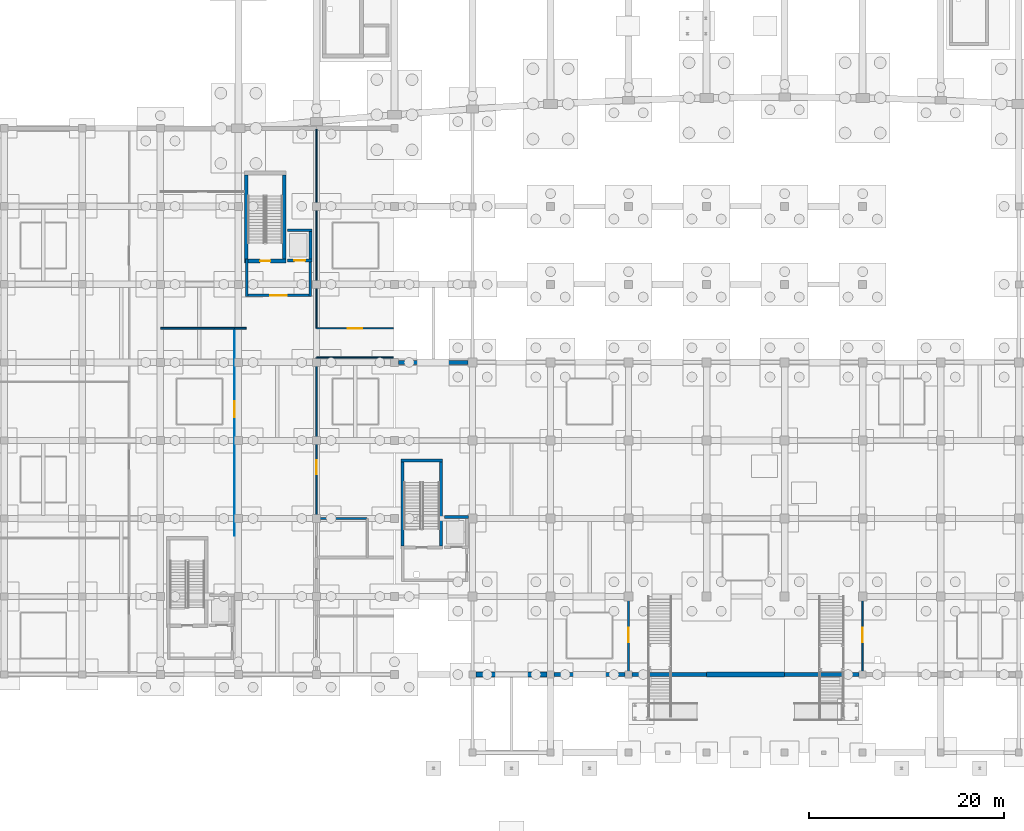
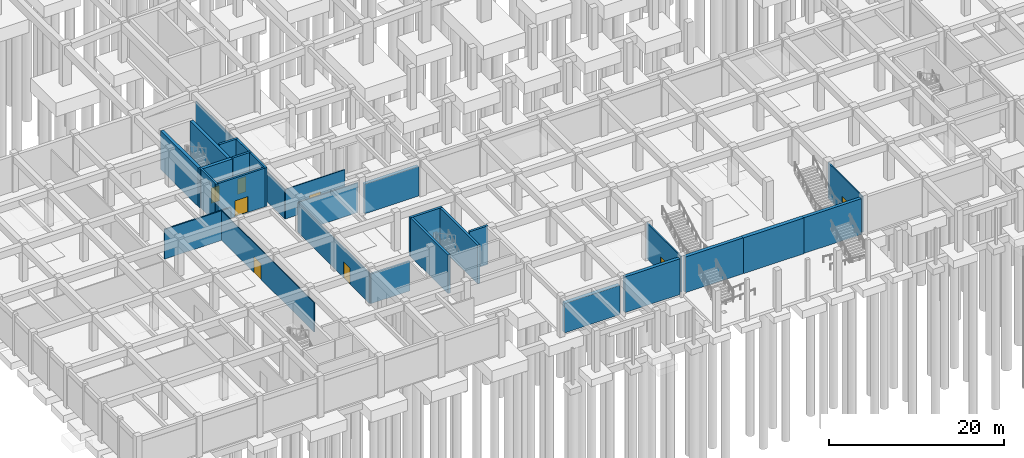
# One storey, part 26 of 45: 29 walls, 8 doors, 8 openings.
"""IFC4 building model written with IfcOpenShell, lengths in metres."""

from ifc_helpers import new_model, si_unit, direction, frame, frame_2d, origin, place, context, subcontext, project, spatial, rectangle, extrude, material, layer, layer_set, type_object, element, fill, save


model = new_model("IFC4")

# Units and contexts
model_context = context("Model", 3, precision=1e-05, world=origin(), true_north=direction((0.0, 1.0)))
body_context = subcontext(model_context, "Body", "Model", "MODEL_VIEW")
ifc_project = project(units=[si_unit("LENGTHUNIT", "METRE"), si_unit("AREAUNIT", "SQUARE_METRE"), si_unit("VOLUMEUNIT", "CUBIC_METRE"), si_unit("PLANEANGLEUNIT", "RADIAN"), si_unit("MASSUNIT", "GRAM", prefix="KILO")], contexts=[model_context])

# Site, building, storey
site_placement = place(None, origin())
site = spatial("IfcSite", under=ifc_project, at=site_placement, CompositionType="ELEMENT")
building_placement = place(site_placement, origin())
building = spatial("IfcBuilding", under=site, at=building_placement, Name="Kenh Van Central Station", CompositionType="ELEMENT")
storey_placement = place(building_placement, frame((0.0, 0.0, -5.39990234375)))
storey = spatial("IfcBuildingStorey", under=building, at=storey_placement, Name="B1", CompositionType="ELEMENT", Elevation=-5.39990234375)

# Wall, opening, door
ifc_material_1 = material(Name="Concrete C40/50", Category="concrete")
ifc_layer_1 = layer(ifc_material_1, 0.280029296875, Name="Concrete C40/50")
ifc_layer_set_1 = layer_set([ifc_layer_1], Name="Concrete C40/50")
wall_type_1 = type_object("IfcWallType", Name="WL-CORE-280", PredefinedType="SHEAR", material=ifc_layer_set_1)
wall_1_placement = place(storey_placement, frame((37.050048828125, 50.4599609375, 0.0), z_axis=(0.0, 0.0, 1.0), x_axis=(1.0, 0.0, 0.0)))
wall_1 = element("IfcWall", 1, at=wall_1_placement, inside=storey, type_object=wall_type_1, Name="B1 LIFT-P2 shaft wall S", PredefinedType="SHEAR", context=body_context, shape_type="SweptSolid", body=[
    extrude(rectangle(XDim=2.47998046875, YDim=0.280029296875, at=frame_2d((1.239990234375, 0.0))), origin(), (0.0, 0.0, 1.0), 5.39990234375),
])
opening_1_placement = place(wall_1_placement, frame((0.68994140625, 0.0, 0.0)))
opening_1 = element("IfcOpeningElement", 2, at=opening_1_placement, cuts=wall_1, Name="Opening LD-P1", PredefinedType="OPENING", context=body_context, shape_type="SweptSolid", body=[
    extrude(rectangle(XDim=1.10009765625, YDim=2.14990234375, at=frame_2d((0.550048828125, 1.074951171875))), frame((0.0, 0.14990234375, 0.0), z_axis=(0.0, -1.0, 0.0), x_axis=(1.0, 0.0, 0.0)), (0.0, 0.0, 1.0), 0.300048828125),
])
ifc_material_2 = material(Name="Champagne anodised aluminium", Category="aluminium")
door_type_1 = type_object("IfcDoorType", Name="DR-LIFT-1100x2150", OperationType="SLIDING_TO_LEFT", PredefinedType="DOOR", material=ifc_material_2)
door_1_placement = place(opening_1_placement, origin())
door_1 = element("IfcDoor", 3, at=door_1_placement, inside=storey, type_object=door_type_1, Name="B1 LIFT-P2 sliding landing door", OperationType="SLIDING_TO_LEFT", OverallHeight=2.14990234375, OverallWidth=1.10009765625, PredefinedType="DOOR", context=body_context, shape_type="SweptSolid", body=[
    extrude(rectangle(XDim=1.10009765625, YDim=2.14990234375, at=frame_2d((0.550048828125, 1.074951171875))), frame((0.0, 0.02490234375, 0.0), z_axis=(0.0, -1.0, 0.0), x_axis=(1.0, 0.0, 0.0)), (0.0, 0.0, 1.0), 0.050048828125),
])
fill(opening_1, door_1)

# Walls
wall_2_placement = place(storey_placement, frame((37.050048828125, 53.5400390625, 0.0), z_axis=(0.0, 0.0, 1.0), x_axis=(1.0, 0.0, 0.0)))
element("IfcWall", 4, at=wall_2_placement, inside=storey, type_object=wall_type_1, Name="B1 LIFT-P2 shaft wall N", PredefinedType="SHEAR", context=body_context, shape_type="SweptSolid", body=[
    extrude(rectangle(XDim=2.47998046875, YDim=0.280029296875, at=frame_2d((1.239990234375, 0.0))), origin(), (0.0, 0.0, 1.0), 5.39990234375),
])
wall_3_placement = place(storey_placement, frame((39.389892578125, 50.60009765625, 0.0), z_axis=(0.0, 0.0, 1.0), x_axis=(0.0, 1.0, 0.0)))
element("IfcWall", 5, at=wall_3_placement, inside=storey, type_object=wall_type_1, Name="B1 LIFT-P2 shaft wall E", PredefinedType="SHEAR", context=body_context, shape_type="SweptSolid", body=[
    extrude(rectangle(XDim=2.7998046875, YDim=0.280029296875, at=frame_2d((1.39990234375, 0.0))), origin(), (0.0, 0.0, 1.0), 5.39990234375),
])
wall_4_placement = place(storey_placement, frame((53.14990234375, 24.139892578125, 0.0), z_axis=(0.0, 0.0, 1.0), x_axis=(1.0, 0.0, 0.0)))
element("IfcWall", 6, at=wall_4_placement, inside=storey, type_object=wall_type_1, Name="B1 LIFT-P3 shaft wall N", PredefinedType="SHEAR", context=body_context, shape_type="SweptSolid", body=[
    extrude(rectangle(XDim=2.43017578125, YDim=0.280029296875, at=frame_2d((1.215087890625, 0.0))), origin(), (0.0, 0.0, 1.0), 5.39990234375),
])
ifc_layer_2 = layer(ifc_material_1, 0.320068359375, Name="Concrete C40/50")
ifc_layer_set_2 = layer_set([ifc_layer_2], Name="Concrete C40/50")
wall_type_2 = type_object("IfcWallType", Name="WL-CORE-320", PredefinedType="SHEAR", material=ifc_layer_set_2)
wall_5_placement = place(storey_placement, frame((48.679931640625, 29.9599609375, 0.0), z_axis=(0.0, 0.0, 1.0), x_axis=(1.0, 0.0, 0.0)))
element("IfcWall", 7, at=wall_5_placement, inside=storey, type_object=wall_type_2, Name="B1 CORE-03 stair wall N", PredefinedType="SHEAR", context=body_context, shape_type="SweptSolid", body=[
    extrude(rectangle(XDim=4.239990234375, YDim=0.320068359375, at=frame_2d((2.1201171875, 0.0))), origin(), (0.0, 0.0, 1.0), 5.39990234375),
])
for number, where, z_axis, x_axis, name in (
    (8, (48.840087890625, 21.199951171875, 0.0), (0.0, 0.0, 1.0), (0.0, 1.0, 0.0), "B1 CORE-03 stair wall W"),
    (9, (52.760009765625, 21.199951171875, 0.0), (0.0, 0.0, 1.0), (0.0, 1.0, 0.0), "B1 CORE-03 stair wall E"),
):
    element("IfcWall", number, at=place(storey_placement, frame(where, z_axis=z_axis, x_axis=x_axis)), inside=storey, type_object=wall_type_2, Name=name, PredefinedType="SHEAR", context=body_context, shape_type="SweptSolid", body=[
        extrude(rectangle(XDim=8.60009765625, YDim=0.320068359375, at=frame_2d((4.300048828125, 0.0))), origin(), (0.0, 0.0, 1.0), 5.39990234375),
    ])

# Wall, opening, door
ifc_layer_3 = layer(ifc_material_1, 0.39990234375, Name="Concrete C40/50")
ifc_layer_set_3 = layer_set([ifc_layer_3], Name="Concrete C40/50")
wall_type_3 = type_object("IfcWallType", Name="WL-CORE-400", PredefinedType="SHEAR", material=ifc_layer_set_3)
wall_6_placement = place(storey_placement, frame((32.60009765625, 50.39990234375, 0.0), z_axis=(0.0, 0.0, 1.0), x_axis=(1.0, 0.0, 0.0)))
wall_6 = element("IfcWall", 10, at=wall_6_placement, inside=storey, type_object=wall_type_3, Name="B1 CORE-02 stair wall S", PredefinedType="SHEAR", context=body_context, shape_type="SweptSolid", body=[
    extrude(rectangle(XDim=4.2998046875, YDim=0.39990234375, at=frame_2d((2.14990234375, 0.0))), origin(), (0.0, 0.0, 1.0), 5.39990234375),
])
opening_2_placement = place(wall_6_placement, frame((1.625, 0.0, 0.0)))
opening_2 = element("IfcOpeningElement", 11, at=opening_2_placement, cuts=wall_6, Name="Opening D-FD60", PredefinedType="OPENING", context=body_context, shape_type="SweptSolid", body=[
    extrude(rectangle(XDim=1.050048828125, YDim=2.14990234375, at=frame_2d((0.52490234375, 1.074951171875))), frame((0.0, 0.2099609375, 0.0), z_axis=(0.0, -1.0, 0.0), x_axis=(1.0, 0.0, 0.0)), (0.0, 0.0, 1.0), 0.419921875),
])
door_type_2 = type_object("IfcDoorType", Name="DR-FIRE-1050x2150", OperationType="NOTDEFINED", PredefinedType="DOOR", material=ifc_material_2)
door_2_placement = place(opening_2_placement, origin())
door_2 = element("IfcDoor", 12, at=door_2_placement, inside=storey, type_object=door_type_2, Name="B1 ST-02 stair door", OperationType="SINGLE_SWING_RIGHT", OverallHeight=2.14990234375, OverallWidth=1.050048828125, PredefinedType="DOOR", context=body_context, shape_type="SweptSolid", body=[
    extrude(rectangle(XDim=1.050048828125, YDim=2.14990234375, at=frame_2d((0.52490234375, 1.074951171875))), frame((0.0, 0.02490234375, 0.0), z_axis=(0.0, -1.0, 0.0), x_axis=(1.0, 0.0, 0.0)), (0.0, 0.0, 1.0), 0.050048828125),
])
fill(opening_2, door_2)

# Walls
for number, where, z_axis, x_axis, name in (
    (13, (32.800048828125, 50.60009765625, 0.0), (0.0, 0.0, 1.0), (0.0, 1.0, 0.0), "B1 CORE-02 stair wall W"),
    (14, (36.699951171875, 50.60009765625, 0.0), (0.0, 0.0, 1.0), (0.0, 1.0, 0.0), "B1 CORE-02 stair wall E"),
):
    element("IfcWall", number, at=place(storey_placement, frame(where, z_axis=z_axis, x_axis=x_axis)), inside=storey, type_object=wall_type_3, Name=name, PredefinedType="SHEAR", context=body_context, shape_type="SweptSolid", body=[
        extrude(rectangle(XDim=8.599853515625, YDim=0.39990234375, at=frame_2d((4.2998046875, 0.0))), origin(), (0.0, 0.0, 1.0), 5.39990234375),
    ])

# Wall, opening, door
ifc_layer_4 = layer(ifc_material_1, 0.260009765625, Name="Concrete C40/50")
ifc_layer_set_4 = layer_set([ifc_layer_4], Name="Concrete C40/50")
wall_type_4 = type_object("IfcWallType", Name="WL-FIRE-260", PredefinedType="SHEAR", material=ifc_layer_set_4)
wall_7_placement = place(storey_placement, frame((39.510009765625, 46.8701171875, 0.0), z_axis=(0.0, 0.0, 1.0), x_axis=(-1.0, 0.0, 0.0)))
wall_7 = element("IfcWall", 15, at=wall_7_placement, inside=storey, type_object=wall_type_4, Name="B1 CORE-02 lobby wall S", PredefinedType="SHEAR", context=body_context, shape_type="SweptSolid", body=[
    extrude(rectangle(XDim=6.77001953125, YDim=0.260009765625, at=frame_2d((3.385009765625, 0.0))), origin(), (0.0, 0.0, 1.0), 5.39990234375),
])
opening_3_placement = place(wall_7_placement, frame((2.534912109375, 0.0, 0.0)))
opening_3 = element("IfcOpeningElement", 16, at=opening_3_placement, cuts=wall_7, Name="Opening D-FD60D", PredefinedType="OPENING", context=body_context, shape_type="SweptSolid", body=[
    extrude(rectangle(XDim=1.699951171875, YDim=2.199951171875, at=frame_2d((0.85009765625, 1.10009765625))), frame((0.0, 0.139892578125, 0.0), z_axis=(0.0, -1.0, 0.0), x_axis=(1.0, 0.0, 0.0)), (0.0, 0.0, 1.0), 0.280029296875),
])
door_type_3 = type_object("IfcDoorType", Name="DR-FIRE-1700x2200", OperationType="DOUBLE_DOOR_SINGLE_SWING", PredefinedType="DOOR", material=ifc_material_2)
door_3_placement = place(opening_3_placement, origin())
door_3 = element("IfcDoor", 17, at=door_3_placement, inside=storey, type_object=door_type_3, Name="B1 CORE-02 smoke-stop lobby door", OperationType="DOUBLE_DOOR_SINGLE_SWING", OverallHeight=2.199951171875, OverallWidth=1.699951171875, PredefinedType="DOOR", context=body_context, shape_type="SweptSolid", body=[
    extrude(rectangle(XDim=1.699951171875, YDim=2.199951171875, at=frame_2d((0.85009765625, 1.10009765625))), frame((0.0, 0.02490234375, 0.0), z_axis=(0.0, -1.0, 0.0), x_axis=(1.0, 0.0, 0.0)), (0.0, 0.0, 1.0), 0.050048828125),
])
fill(opening_3, door_3)

# Walls
for number, where, z_axis, x_axis, name in (
    (18, (32.8701171875, 46.739990234375, 0.0), (0.0, 0.0, 1.0), (0.0, 1.0, 0.0), "B1 CORE-02 lobby wall W"),
    (19, (39.3798828125, 46.739990234375, 0.0), (0.0, 0.0, 1.0), (0.0, 1.0, 0.0), "B1 CORE-02 lobby wall E"),
):
    element("IfcWall", number, at=place(storey_placement, frame(where, z_axis=z_axis, x_axis=x_axis)), inside=storey, type_object=wall_type_4, Name=name, PredefinedType="SHEAR", context=body_context, shape_type="SweptSolid", body=[
        extrude(rectangle(XDim=3.860107421875, YDim=0.260009765625, at=frame_2d((1.93017578125, 0.0))), origin(), (0.0, 0.0, 1.0), 5.39990234375),
    ])

# Wall, opening, door
ifc_material_3 = material(Name="Lightweight acoustic masonry blockwork", Category="masonry")
ifc_layer_5 = layer(ifc_material_3, 0.10009765625, Name="Lightweight acoustic masonry blockwork")
ifc_layer_set_5 = layer_set([ifc_layer_5], Name="Lightweight acoustic masonry blockwork")
wall_type_5 = type_object("IfcWallType", Name="WL-PART-100", PredefinedType="PARTITIONING", material=ifc_layer_set_5)
wall_8_placement = place(storey_placement, frame((31.60009765625, 22.219970703125, 0.0), z_axis=(0.0, 0.0, 1.0), x_axis=(0.0, 1.0, 0.0)))
wall_8 = element("IfcWall", 20, at=wall_8_placement, inside=storey, type_object=wall_type_5, Name="B1 interior wall 0006", PredefinedType="PARTITIONING", context=body_context, shape_type="SweptSolid", body=[
    extrude(rectangle(XDim=21.260009765625, YDim=0.10009765625, at=frame_2d((10.6298828125, 0.0))), origin(), (0.0, 0.0, 1.0), 4.14990234375),
])
opening_4_placement = place(wall_8_placement, frame((12.158203125, 0.0, 0.0)))
opening_4 = element("IfcOpeningElement", 21, at=opening_4_placement, cuts=wall_8, Name="Opening D-IN02", PredefinedType="OPENING", context=body_context, shape_type="SweptSolid", body=[
    extrude(rectangle(XDim=1.64990234375, YDim=2.25, at=frame_2d((0.824951171875, 1.125))), frame((0.0, 0.06005859375, 0.0), z_axis=(0.0, -1.0, 0.0), x_axis=(1.0, 0.0, 0.0)), (0.0, 0.0, 1.0), 0.1201171875),
])
ifc_material_4 = material(Name="Architectural hardwood timber", Category="wood")
door_type_4 = type_object("IfcDoorType", Name="DR-INT-1650x2250", OperationType="DOUBLE_DOOR_SINGLE_SWING", PredefinedType="DOOR", material=ifc_material_4)
door_4_placement = place(opening_4_placement, origin())
door_4 = element("IfcDoor", 22, at=door_4_placement, inside=storey, type_object=door_type_4, Name="B1 interior door 0004", OperationType="DOUBLE_DOOR_SINGLE_SWING", OverallHeight=2.25, OverallWidth=1.64990234375, PredefinedType="DOOR", context=body_context, shape_type="SweptSolid", body=[
    extrude(rectangle(XDim=1.64990234375, YDim=2.25, at=frame_2d((0.824951171875, 1.125))), frame((0.0, 0.02490234375, 0.0), z_axis=(0.0, -1.0, 0.0), x_axis=(1.0, 0.0, 0.0)), (0.0, 0.0, 1.0), 0.050048828125),
])
fill(opening_4, door_4)

ifc_layer_6 = layer(ifc_material_3, 0.114990234375, Name="Lightweight acoustic masonry blockwork")
ifc_layer_set_6 = layer_set([ifc_layer_6], Name="Lightweight acoustic masonry blockwork")
wall_type_6 = type_object("IfcWallType", Name="WL-PART-115", PredefinedType="PARTITIONING", material=ifc_layer_set_6)
wall_9_placement = place(storey_placement, frame((40.02001953125, 43.5, 0.0), z_axis=(0.0, 0.0, 1.0), x_axis=(1.0, 0.0, 0.0)))
wall_9 = element("IfcWall", 23, at=wall_9_placement, inside=storey, type_object=wall_type_6, Name="B1 interior wall 0019", PredefinedType="PARTITIONING", context=body_context, shape_type="SweptSolid", body=[
    extrude(rectangle(XDim=7.85986328125, YDim=0.114990234375, at=frame_2d((3.929931640625, 0.0))), origin(), (0.0, 0.0, 1.0), 4.14990234375),
])
opening_5_placement = place(wall_9_placement, frame((3.205078125, 0.0, 0.0)))
opening_5 = element("IfcOpeningElement", 24, at=opening_5_placement, cuts=wall_9, Name="Opening D-IN03", PredefinedType="OPENING", context=body_context, shape_type="SweptSolid", body=[
    extrude(rectangle(XDim=1.449951171875, YDim=2.199951171875, at=frame_2d((0.72509765625, 1.10009765625))), frame((0.0, 0.0673828125, 0.0), z_axis=(0.0, -1.0, 0.0), x_axis=(1.0, 0.0, 0.0)), (0.0, 0.0, 1.0), 0.135009765625),
])
door_type_5 = type_object("IfcDoorType", Name="DR-INT-1450x2200", OperationType="DOUBLE_DOOR_SINGLE_SWING", PredefinedType="DOOR", material=ifc_material_4)
door_5_placement = place(opening_5_placement, origin())
door_5 = element("IfcDoor", 25, at=door_5_placement, inside=storey, type_object=door_type_5, Name="B1 interior door 0009", OperationType="DOUBLE_DOOR_SINGLE_SWING", OverallHeight=2.199951171875, OverallWidth=1.449951171875, PredefinedType="DOOR", context=body_context, shape_type="SweptSolid", body=[
    extrude(rectangle(XDim=1.449951171875, YDim=2.199951171875, at=frame_2d((0.72509765625, 1.10009765625))), frame((0.0, 0.02490234375, 0.0), z_axis=(0.0, -1.0, 0.0), x_axis=(1.0, 0.0, 0.0)), (0.0, 0.0, 1.0), 0.050048828125),
])
fill(opening_5, door_5)

# Walls
ifc_layer_7 = layer(ifc_material_3, 0.125, Name="Lightweight acoustic masonry blockwork")
ifc_layer_set_7 = layer_set([ifc_layer_7], Name="Lightweight acoustic masonry blockwork")
wall_type_7 = type_object("IfcWallType", Name="WL-PART-125", PredefinedType="PARTITIONING", material=ifc_layer_set_7)
wall_10_placement = place(storey_placement, frame((40.0, 43.52001953125, 0.0), z_axis=(0.0, 0.0, 1.0), x_axis=(0.0, 1.0, 0.0)))
element("IfcWall", 26, at=wall_10_placement, inside=storey, type_object=wall_type_7, Name="B1 interior wall 0018", PredefinedType="PARTITIONING", context=body_context, shape_type="SweptSolid", body=[
    extrude(rectangle(XDim=20.35986328125, YDim=0.125, at=frame_2d((10.179931640625, 0.0))), origin(), (0.0, 0.0, 1.0), 4.14990234375),
])
ifc_layer_8 = layer(ifc_material_3, 0.135009765625, Name="Lightweight acoustic masonry blockwork")
ifc_layer_set_8 = layer_set([ifc_layer_8], Name="Lightweight acoustic masonry blockwork")
wall_type_8 = type_object("IfcWallType", Name="WL-PART-135", PredefinedType="PARTITIONING", material=ifc_layer_set_8)
wall_11_placement = place(storey_placement, frame((40.02001953125, 40.5, 0.0), z_axis=(0.0, 0.0, 1.0), x_axis=(1.0, 0.0, 0.0)))
element("IfcWall", 27, at=wall_11_placement, inside=storey, type_object=wall_type_8, Name="B1 interior wall 0010", PredefinedType="PARTITIONING", context=body_context, shape_type="SweptSolid", body=[
    extrude(rectangle(XDim=7.85986328125, YDim=0.135009765625, at=frame_2d((3.929931640625, 0.0))), origin(), (0.0, 0.0, 1.0), 4.14990234375),
])

# Wall, opening, door
ifc_layer_9 = layer(ifc_material_3, 0.14990234375, Name="Lightweight acoustic masonry blockwork")
ifc_layer_set_9 = layer_set([ifc_layer_9], Name="Lightweight acoustic masonry blockwork")
wall_type_9 = type_object("IfcWallType", Name="WL-PART-150", PredefinedType="PARTITIONING", material=ifc_layer_set_9)
wall_12_placement = place(storey_placement, frame((40.0, 24.02001953125, 0.0), z_axis=(0.0, 0.0, 1.0), x_axis=(0.0, 1.0, 0.0)))
wall_12 = element("IfcWall", 28, at=wall_12_placement, inside=storey, type_object=wall_type_9, Name="B1 interior wall 0009", PredefinedType="PARTITIONING", context=body_context, shape_type="SweptSolid", body=[
    extrude(rectangle(XDim=16.4599609375, YDim=0.14990234375, at=frame_2d((8.22998046875, 0.0))), origin(), (0.0, 0.0, 1.0), 4.14990234375),
])
opening_6_placement = place(wall_12_placement, frame((4.5029296875, 0.0, 0.0)))
opening_6 = element("IfcOpeningElement", 29, at=opening_6_placement, cuts=wall_12, Name="Opening D-IN03", PredefinedType="OPENING", context=body_context, shape_type="SweptSolid", body=[
    extrude(rectangle(XDim=1.449951171875, YDim=2.199951171875, at=frame_2d((0.72509765625, 1.10009765625))), frame((0.0, 0.0849609375, 0.0), z_axis=(0.0, -1.0, 0.0), x_axis=(1.0, 0.0, 0.0)), (0.0, 0.0, 1.0), 0.169921875),
])
door_6_placement = place(opening_6_placement, origin())
door_6 = element("IfcDoor", 30, at=door_6_placement, inside=storey, type_object=door_type_5, Name="B1 interior door 0005", OperationType="DOUBLE_DOOR_SINGLE_SWING", OverallHeight=2.199951171875, OverallWidth=1.449951171875, PredefinedType="DOOR", context=body_context, shape_type="SweptSolid", body=[
    extrude(rectangle(XDim=1.449951171875, YDim=2.199951171875, at=frame_2d((0.72509765625, 1.10009765625))), frame((0.0, 0.02490234375, 0.0), z_axis=(0.0, -1.0, 0.0), x_axis=(1.0, 0.0, 0.0)), (0.0, 0.0, 1.0), 0.050048828125),
])
fill(opening_6, door_6)

# Wall
ifc_layer_10 = layer(ifc_material_3, 0.159912109375, Name="Lightweight acoustic masonry blockwork")
ifc_layer_set_10 = layer_set([ifc_layer_10], Name="Lightweight acoustic masonry blockwork")
wall_type_10 = type_object("IfcWallType", Name="WL-PART-160", PredefinedType="PARTITIONING", material=ifc_layer_set_10)
wall_13_placement = place(storey_placement, frame((31.6201171875, 43.5, 0.0), z_axis=(0.0, 0.0, 1.0), x_axis=(1.0, 0.0, 0.0)))
element("IfcWall", 31, at=wall_13_placement, inside=storey, type_object=wall_type_10, Name="B1 interior wall 0008", PredefinedType="PARTITIONING", context=body_context, shape_type="SweptSolid", body=[
    extrude(rectangle(XDim=1.159912109375, YDim=0.159912109375, at=frame_2d((0.580078125, 0.0))), origin(), (0.0, 0.0, 1.0), 4.14990234375),
])

# Wall, opening, door
wall_14_placement = place(storey_placement, frame((96.0, 8.1201171875, 0.0), z_axis=(0.0, 0.0, 1.0), x_axis=(0.0, 1.0, 0.0)))
wall_14 = element("IfcWall", 32, at=wall_14_placement, inside=storey, type_object=wall_type_10, Name="B1 interior wall 0022", PredefinedType="PARTITIONING", context=body_context, shape_type="SweptSolid", body=[
    extrude(rectangle(XDim=7.85986328125, YDim=0.159912109375, at=frame_2d((3.929931640625, 0.0))), origin(), (0.0, 0.0, 1.0), 5.0),
])
opening_7_placement = place(wall_14_placement, frame((3.205078125, 0.0, 0.0)))
opening_7 = element("IfcOpeningElement", 33, at=opening_7_placement, cuts=wall_14, Name="Opening D-IN03", PredefinedType="OPENING", context=body_context, shape_type="SweptSolid", body=[
    extrude(rectangle(XDim=1.449951171875, YDim=2.199951171875, at=frame_2d((0.72509765625, 1.10009765625))), frame((0.0, 0.08984375, 0.0), z_axis=(0.0, -1.0, 0.0), x_axis=(1.0, 0.0, 0.0)), (0.0, 0.0, 1.0), 0.179931640625),
])
door_7_placement = place(opening_7_placement, origin())
door_7 = element("IfcDoor", 34, at=door_7_placement, inside=storey, type_object=door_type_5, Name="B1 interior door 0012", OperationType="DOUBLE_DOOR_SINGLE_SWING", OverallHeight=2.199951171875, OverallWidth=1.449951171875, PredefinedType="DOOR", context=body_context, shape_type="SweptSolid", body=[
    extrude(rectangle(XDim=1.449951171875, YDim=2.199951171875, at=frame_2d((0.72509765625, 1.10009765625))), frame((0.0, 0.02490234375, 0.0), z_axis=(0.0, -1.0, 0.0), x_axis=(1.0, 0.0, 0.0)), (0.0, 0.0, 1.0), 0.050048828125),
])
fill(opening_7, door_7)

# Wall
ifc_layer_11 = layer(ifc_material_3, 0.175048828125, Name="Lightweight acoustic masonry blockwork")
ifc_layer_set_11 = layer_set([ifc_layer_11], Name="Lightweight acoustic masonry blockwork")
wall_type_11 = type_object("IfcWallType", Name="WL-PART-175", PredefinedType="PARTITIONING", material=ifc_layer_set_11)
wall_15_placement = place(storey_placement, frame((24.02001953125, 43.5, 0.0), z_axis=(0.0, 0.0, 1.0), x_axis=(1.0, 0.0, 0.0)))
element("IfcWall", 35, at=wall_15_placement, inside=storey, type_object=wall_type_11, Name="B1 interior wall 0007", PredefinedType="PARTITIONING", context=body_context, shape_type="SweptSolid", body=[
    extrude(rectangle(XDim=7.56005859375, YDim=0.175048828125, at=frame_2d((3.780029296875, 0.0))), origin(), (0.0, 0.0, 1.0), 4.14990234375),
])

# Wall, opening, door
wall_16_placement = place(storey_placement, frame((72.0, 8.1201171875, 0.0), z_axis=(0.0, 0.0, 1.0), x_axis=(0.0, 1.0, 0.0)))
wall_16 = element("IfcWall", 36, at=wall_16_placement, inside=storey, type_object=wall_type_11, Name="B1 interior wall 0021", PredefinedType="PARTITIONING", context=body_context, shape_type="SweptSolid", body=[
    extrude(rectangle(XDim=7.85986328125, YDim=0.175048828125, at=frame_2d((3.929931640625, 0.0))), origin(), (0.0, 0.0, 1.0), 5.0),
])
opening_8_placement = place(wall_16_placement, frame((3.205078125, 0.0, 0.0)))
opening_8 = element("IfcOpeningElement", 37, at=opening_8_placement, cuts=wall_16, Name="Opening D-IN03", PredefinedType="OPENING", context=body_context, shape_type="SweptSolid", body=[
    extrude(rectangle(XDim=1.449951171875, YDim=2.199951171875, at=frame_2d((0.72509765625, 1.10009765625))), frame((0.0, 0.097412109375, 0.0), z_axis=(0.0, -1.0, 0.0), x_axis=(1.0, 0.0, 0.0)), (0.0, 0.0, 1.0), 0.195068359375),
])
door_8_placement = place(opening_8_placement, origin())
door_8 = element("IfcDoor", 38, at=door_8_placement, inside=storey, type_object=door_type_5, Name="B1 interior door 0011", OperationType="DOUBLE_DOOR_SINGLE_SWING", OverallHeight=2.199951171875, OverallWidth=1.449951171875, PredefinedType="DOOR", context=body_context, shape_type="SweptSolid", body=[
    extrude(rectangle(XDim=1.449951171875, YDim=2.199951171875, at=frame_2d((0.72509765625, 1.10009765625))), frame((0.0, 0.02490234375, 0.0), z_axis=(0.0, -1.0, 0.0), x_axis=(1.0, 0.0, 0.0)), (0.0, 0.0, 1.0), 0.050048828125),
])
fill(opening_8, door_8)

# Walls
ifc_layer_12 = layer(ifc_material_3, 0.22998046875, Name="Lightweight acoustic masonry blockwork")
ifc_layer_set_12 = layer_set([ifc_layer_12], Name="Lightweight acoustic masonry blockwork")
wall_type_12 = type_object("IfcWallType", Name="WL-PLMB-230", PredefinedType="PLUMBINGWALL", material=ifc_layer_set_12)
wall_17_placement = place(storey_placement, frame((40.02001953125, 24.0, 0.0), z_axis=(0.0, 0.0, 1.0), x_axis=(1.0, 0.0, 0.0)))
element("IfcWall", 39, at=wall_17_placement, inside=storey, type_object=wall_type_12, Name="B1 interior wall 0016", PredefinedType="PLUMBINGWALL", context=body_context, shape_type="SweptSolid", body=[
    extrude(rectangle(XDim=5.159912109375, YDim=0.22998046875, at=frame_2d((2.580078125, 0.0))), origin(), (0.0, 0.0, 1.0), 4.14990234375),
])
ifc_layer_13 = layer(ifc_material_1, 0.419921875, Name="Concrete C40/50")
ifc_layer_set_13 = layer_set([ifc_layer_13], Name="Concrete C40/50")
wall_type_13 = type_object("IfcWallType", Name="WL-RET-420", PredefinedType="USERDEFINED", material=ifc_layer_set_13)
wall_18_placement = place(storey_placement, frame((64.35009765625, 8.0, 0.0), z_axis=(0.0, 0.0, 1.0), x_axis=(1.0, 0.0, 0.0)))
element("IfcWall", 40, at=wall_18_placement, inside=storey, type_object=wall_type_13, Name="B1 retaining wall 021", ObjectType="RETAININGWALL", PredefinedType="USERDEFINED", context=body_context, shape_type="SweptSolid", body=[
    extrude(rectangle(XDim=7.2998046875, YDim=0.419921875, at=frame_2d((3.64990234375, 0.0))), origin(), (0.0, 0.0, 1.0), 5.0),
])
wall_19_placement = place(storey_placement, frame((88.0, 8.0, 0.0), z_axis=(0.0, 0.0, 1.0), x_axis=(1.0, 0.0, 0.0)))
element("IfcWall", 41, at=wall_19_placement, inside=storey, type_object=wall_type_13, Name="B1 retaining wall 024", ObjectType="RETAININGWALL", PredefinedType="USERDEFINED", context=body_context, shape_type="SweptSolid", body=[
    extrude(rectangle(XDim=7.64990234375, YDim=0.419921875, at=frame_2d((3.824951171875, 0.0))), origin(), (0.0, 0.0, 1.0), 5.0),
])
wall_20_placement = place(storey_placement, frame((48.39990234375, 40.0, 0.0), z_axis=(0.0, 0.0, 1.0), x_axis=(1.0, 0.0, 0.0)))
element("IfcWall", 42, at=wall_20_placement, inside=storey, type_object=wall_type_13, Name="B1 retaining wall 027", ObjectType="RETAININGWALL", PredefinedType="USERDEFINED", context=body_context, shape_type="SweptSolid", body=[
    extrude(rectangle(XDim=7.150146484375, YDim=0.419921875, at=frame_2d((3.5751953125, 0.0))), origin(), (0.0, 0.0, 1.0), 4.14990234375),
])
ifc_layer_14 = layer(ifc_material_1, 0.449951171875, Name="Concrete C40/50")
ifc_layer_set_14 = layer_set([ifc_layer_14], Name="Concrete C40/50")
wall_type_14 = type_object("IfcWallType", Name="WL-RET-450", PredefinedType="USERDEFINED", material=ifc_layer_set_14)
wall_21_placement = place(storey_placement, frame((72.35009765625, 8.0, 0.0), z_axis=(0.0, 0.0, 1.0), x_axis=(1.0, 0.0, 0.0)))
element("IfcWall", 43, at=wall_21_placement, inside=storey, type_object=wall_type_14, Name="B1 retaining wall 022", ObjectType="RETAININGWALL", PredefinedType="USERDEFINED", context=body_context, shape_type="SweptSolid", body=[
    extrude(rectangle(XDim=7.64990234375, YDim=0.449951171875, at=frame_2d((3.824951171875, 0.0))), origin(), (0.0, 0.0, 1.0), 5.0),
])
ifc_layer_15 = layer(ifc_material_1, 0.5, Name="Concrete C40/50")
ifc_layer_set_15 = layer_set([ifc_layer_15], Name="Concrete C40/50")
wall_type_15 = type_object("IfcWallType", Name="WL-RET-500", PredefinedType="USERDEFINED", material=ifc_layer_set_15)
wall_22_placement = place(storey_placement, frame((56.35009765625, 8.0, 0.0), z_axis=(0.0, 0.0, 1.0), x_axis=(1.0, 0.0, 0.0)))
element("IfcWall", 44, at=wall_22_placement, inside=storey, type_object=wall_type_15, Name="B1 retaining wall 020", ObjectType="RETAININGWALL", PredefinedType="USERDEFINED", context=body_context, shape_type="SweptSolid", body=[
    extrude(rectangle(XDim=7.2998046875, YDim=0.5, at=frame_2d((3.64990234375, 0.0))), origin(), (0.0, 0.0, 1.0), 4.10986328125),
])
wall_23_placement = place(storey_placement, frame((80.0, 8.0, 0.0), z_axis=(0.0, 0.0, 1.0), x_axis=(1.0, 0.0, 0.0)))
element("IfcWall", 45, at=wall_23_placement, inside=storey, type_object=wall_type_15, Name="B1 retaining wall 023", ObjectType="RETAININGWALL", PredefinedType="USERDEFINED", context=body_context, shape_type="SweptSolid", body=[
    extrude(rectangle(XDim=8.0, YDim=0.5, at=frame_2d((4.0, 0.0))), origin(), (0.0, 0.0, 1.0), 5.0),
])

save(model, "model.ifc")
